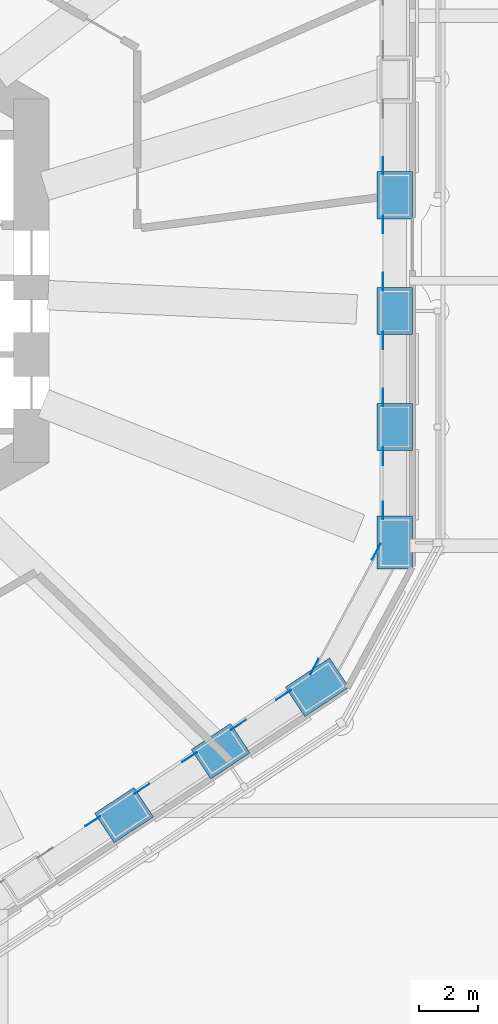
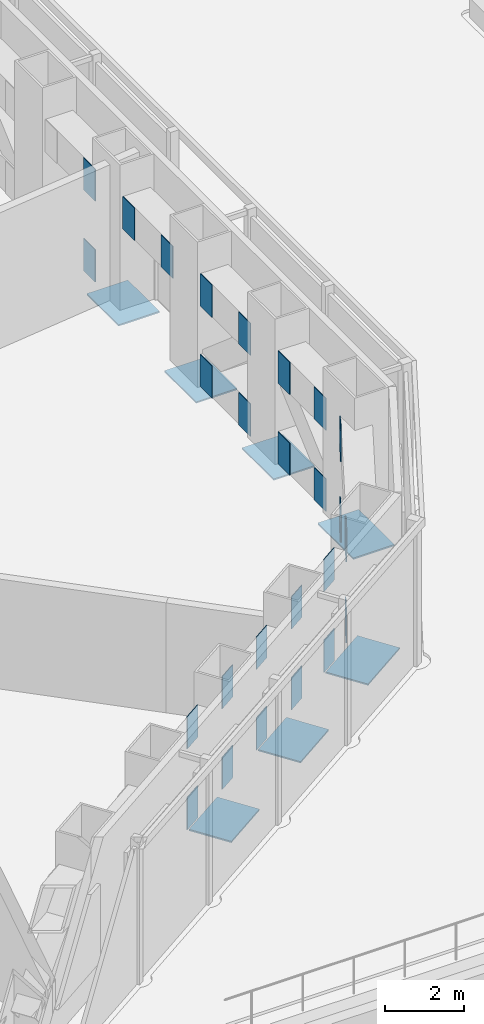
# One storey, part 13 of 20: 33 discrete accessories.
"""IFC4 building model written with IfcOpenShell, lengths in metres."""

from ifc_helpers import new_model, si_unit, direction, frame, origin, origin_2d, place, context, subcontext, project, spatial, rectangle, extrude, material, layer, layer_set, type_object, element, save


model = new_model("IFC4")

# Units and contexts
model_context = context("Model", 3, precision=1e-05, world=origin(), true_north=direction((0.0, 1.0)))
body_context = subcontext(model_context, "Body", "Model", "MODEL_VIEW")
ifc_project = project(units=[si_unit("LENGTHUNIT", "METRE"), si_unit("AREAUNIT", "SQUARE_METRE"), si_unit("VOLUMEUNIT", "CUBIC_METRE"), si_unit("PLANEANGLEUNIT", "RADIAN"), si_unit("MASSUNIT", "GRAM", prefix="KILO")], contexts=[model_context])

# Site, building, storey
site_placement = place(None, origin())
site = spatial("IfcSite", under=ifc_project, at=site_placement, CompositionType="ELEMENT")
building_placement = place(site_placement, origin())
building = spatial("IfcBuilding", under=site, at=building_placement, Name="Vanh Sen Convention Tower", CompositionType="ELEMENT")
storey_placement = place(building_placement, frame((0.0, 0.0, 34.5)))
storey = spatial("IfcBuildingStorey", under=building, at=storey_placement, Name="L05", CompositionType="ELEMENT", Elevation=34.5)

# Discrete accessories
ifc_material = material(Name="Steel S355", Category="steel")
ifc_layer_1 = layer(ifc_material, 0.02001953125)
ifc_layer_set_1 = layer_set([ifc_layer_1], Name="Steel S355")
discrete_accessory_type_1 = type_object("IfcDiscreteAccessoryType", Name="Transfer truss gusset plate 600 x 1000 x 20", PredefinedType="USERDEFINED", material=ifc_layer_set_1)
for number, where, z_axis, x_axis, name in (
    (1, (22.0400390625, -7.80419921875, 0.0), (0.0, 0.0, 1.0), (0.0, 1.0, 0.0), "GUSSET PLATE transfer truss chord bottom 01 L05 start"),
    (2, (22.0400390625, -5.959716796875, 0.0), (0.0, 0.0, 1.0), (0.0, -1.0, 0.0), "GUSSET PLATE transfer truss chord bottom 01 L05 end"),
    (3, (22.0400390625, -7.80419921875, 2.5), (0.0, 0.0, 1.0), (0.0, 1.0, 0.0), "GUSSET PLATE transfer truss chord top 01 L05 start"),
    (4, (22.0400390625, -5.959716796875, 2.5), (0.0, 0.0, 1.0), (0.0, -1.0, 0.0), "GUSSET PLATE transfer truss chord top 01 L05 end"),
    (5, (22.0400390625, -3.969482421875, 0.0), (0.0, 0.0, 1.0), (0.0, 1.0, 0.0), "GUSSET PLATE transfer truss chord bottom 02 L05 start"),
    (6, (22.0400390625, -2.025146484375, 0.0), (0.0, 0.0, 1.0), (0.0, -1.0, 0.0), "GUSSET PLATE transfer truss chord bottom 02 L05 end"),
    (7, (22.0400390625, -3.969482421875, 2.5), (0.0, 0.0, 1.0), (0.0, 1.0, 0.0), "GUSSET PLATE transfer truss chord top 02 L05 start"),
    (8, (22.0400390625, -2.025146484375, 2.5), (0.0, 0.0, 1.0), (0.0, -1.0, 0.0), "GUSSET PLATE transfer truss chord top 02 L05 end"),
    (9, (22.0400390625, -0.03515625, 2.5), (0.0, 0.0, 1.0), (0.0, 1.0, 0.0), "GUSSET PLATE transfer truss chord top 03 L05 start"),
    (10, (22.0400390625, 1.909423828125, 2.5), (0.0, 0.0, 1.0), (0.0, -1.0, 0.0), "GUSSET PLATE transfer truss chord top 03 L05 end"),
    (11, (22.0400390625, 3.8994140625, 0.0), (0.0, 0.0, 1.0), (0.0, 1.0, 0.0), "GUSSET PLATE transfer truss chord bottom 04 L05 start"),
    (12, (22.0400390625, 3.8994140625, 2.5), (0.0, 0.0, 1.0), (0.0, 1.0, 0.0), "GUSSET PLATE transfer truss chord top 04 L05 start"),
    (13, (12.19384765625, -18.359619140625, 0.0), (0.0, 0.0, 1.0), (-0.833880042151, -0.551945717714, 0.0), "GUSSET PLATE transfer truss chord bottom 33 L05 end"),
    (14, (12.19384765625, -18.359619140625, 2.5), (0.0, 0.0, 1.0), (-0.833880042151, -0.551945717714, 0.0), "GUSSET PLATE transfer truss chord top 33 L05 end"),
    (15, (13.853515625, -17.260986328125, 0.0), (0.0, 0.0, 1.0), (0.833891601892, 0.55192825285, 0.0), "GUSSET PLATE transfer truss chord bottom 34 L05 start"),
    (16, (15.474853515625, -16.18798828125, 0.0), (0.0, 0.0, 1.0), (-0.833891601892, -0.55192825285, 0.0), "GUSSET PLATE transfer truss chord bottom 34 L05 end"),
    (17, (13.853515625, -17.260986328125, 2.5), (0.0, 0.0, 1.0), (0.833891601892, 0.55192825285, 0.0), "GUSSET PLATE transfer truss chord top 34 L05 start"),
    (18, (15.474853515625, -16.18798828125, 2.5), (0.0, 0.0, 1.0), (-0.833891601892, -0.55192825285, 0.0), "GUSSET PLATE transfer truss chord top 34 L05 end"),
    (19, (17.13427734375, -15.089599609375, 0.0), (0.0, 0.0, 1.0), (0.833880042151, 0.551945717714, 0.0), "GUSSET PLATE transfer truss chord bottom 35 L05 start"),
    (20, (18.672607421875, -14.0712890625, 0.0), (0.0, 0.0, 1.0), (-0.833880042151, -0.551945717714, 0.0), "GUSSET PLATE transfer truss chord bottom 35 L05 end"),
    (21, (17.13427734375, -15.089599609375, 2.5), (0.0, 0.0, 1.0), (0.833880042151, 0.551945717714, 0.0), "GUSSET PLATE transfer truss chord top 35 L05 start"),
    (22, (18.672607421875, -14.0712890625, 2.5), (0.0, 0.0, 1.0), (-0.833880042151, -0.551945717714, 0.0), "GUSSET PLATE transfer truss chord top 35 L05 end"),
    (23, (19.720458984375, -13.11279296875, 0.0), (0.0, 0.0, 1.0), (0.473322742071, 0.880889086003, 0.0), "GUSSET PLATE transfer truss chord bottom 36 L05 start"),
    (24, (21.819091796875, -9.20703125, 0.0), (0.0, 0.0, 1.0), (-0.473322742071, -0.880889086003, 0.0), "GUSSET PLATE transfer truss chord bottom 36 L05 end"),
    (25, (19.720458984375, -13.11279296875, 2.5), (0.0, 0.0, 1.0), (0.473322742071, 0.880889086003, 0.0), "GUSSET PLATE transfer truss chord top 36 L05 start"),
    (26, (21.819091796875, -9.20703125, 2.5), (0.0, 0.0, 1.0), (-0.473322742071, -0.880889086003, 0.0), "GUSSET PLATE transfer truss chord top 36 L05 end"),
):
    element("IfcDiscreteAccessory", number, at=place(storey_placement, frame(where, z_axis=z_axis, x_axis=x_axis)), inside=storey, type_object=discrete_accessory_type_1, Name=name, ObjectType="GUSSET PLATE", PredefinedType="USERDEFINED", context=body_context, shape_type="SweptSolid", body=[
        extrude(rectangle(XDim=0.60009765625, YDim=0.02001953125, at=origin_2d()), origin(), (0.0, 0.0, 1.0), 1.0),
    ])
ifc_layer_2 = layer(ifc_material, 0.044921875)
ifc_layer_set_2 = layer_set([ifc_layer_2], Name="Steel S355")
discrete_accessory_type_2 = type_object("IfcDiscreteAccessoryType", Name="Transfer truss post bearing plate 1600 x 1200 x 45", PredefinedType="USERDEFINED", material=ifc_layer_set_2)
for number, where, z_axis, x_axis, name in (
    (27, (22.449951171875, -4.964599609375, -0.39501953125), (0.0, 0.0, 1.0), (0.0, 1.0, 0.0), "BEARING PLATE transfer truss post 02"),
    (28, (22.449951171875, -1.030029296875, -0.39501953125), (0.0, 0.0, 1.0), (0.0, 1.0, 0.0), "BEARING PLATE transfer truss post 03"),
    (29, (22.449951171875, 2.904541015625, -0.39501953125), (0.0, 0.0, 1.0), (0.0, 1.0, 0.0), "BEARING PLATE transfer truss post 04"),
    (30, (13.25, -18.152099609375, -0.39501953125), (0.0, 0.0, 1.0), (0.833885822067, 0.551936985312, 0.0), "BEARING PLATE transfer truss post 34"),
    (31, (16.531005859375, -15.980712890625, -0.39501953125), (0.0, 0.0, 1.0), (0.833885822067, 0.551936985312, 0.0), "BEARING PLATE transfer truss post 35"),
):
    element("IfcDiscreteAccessory", number, at=place(storey_placement, frame(where, z_axis=z_axis, x_axis=x_axis)), inside=storey, type_object=discrete_accessory_type_2, Name=name, ObjectType="BEARING PLATE", PredefinedType="USERDEFINED", context=body_context, shape_type="SweptSolid", body=[
        extrude(rectangle(XDim=1.60009765625, YDim=1.199951171875, at=origin_2d()), origin(), (0.0, 0.0, 1.0), 0.044921875),
    ])
ifc_layer_3 = layer(ifc_material, 0.044921875)
ifc_layer_set_3 = layer_set([ifc_layer_3], Name="Steel S355")
discrete_accessory_type_3 = type_object("IfcDiscreteAccessoryType", Name="Transfer truss post bearing plate 1800 x 1200 x 45", PredefinedType="USERDEFINED", material=ifc_layer_set_3)
for number, where, z_axis, x_axis, name in (
    (32, (22.449951171875, -8.899169921875, -0.39501953125), (0.0, 0.0, 1.0), (0.0, 1.0, 0.0), "BEARING PLATE transfer truss post 01"),
    (33, (19.81201171875, -13.808837890625, -0.39501953125), (0.0, 0.0, 1.0), (0.833885822067, 0.551936985312, 0.0), "BEARING PLATE transfer truss post 36"),
):
    element("IfcDiscreteAccessory", number, at=place(storey_placement, frame(where, z_axis=z_axis, x_axis=x_axis)), inside=storey, type_object=discrete_accessory_type_3, Name=name, ObjectType="BEARING PLATE", PredefinedType="USERDEFINED", context=body_context, shape_type="SweptSolid", body=[
        extrude(rectangle(XDim=1.800048828125, YDim=1.199951171875, at=origin_2d()), origin(), (0.0, 0.0, 1.0), 0.044921875),
    ])

save(model, "model.ifc")
